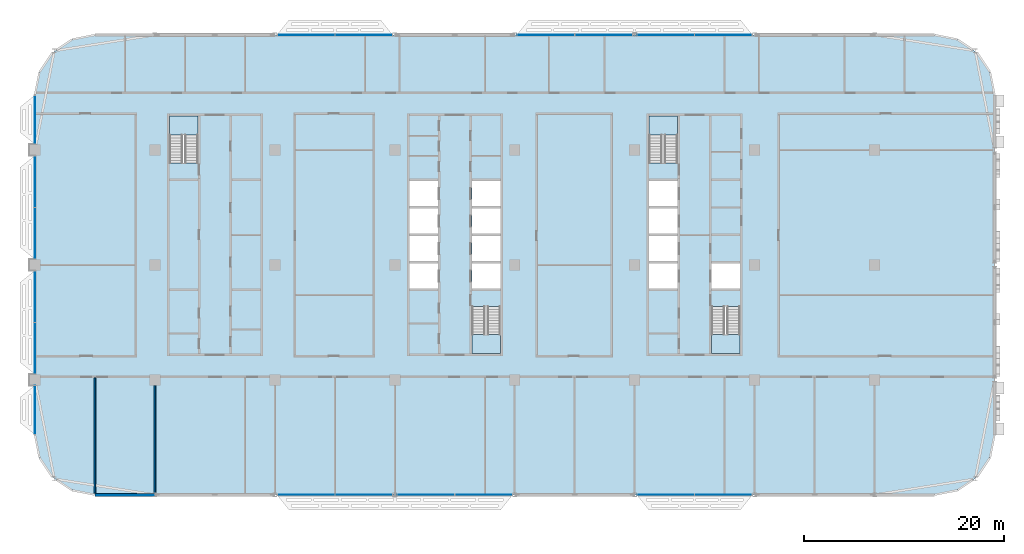
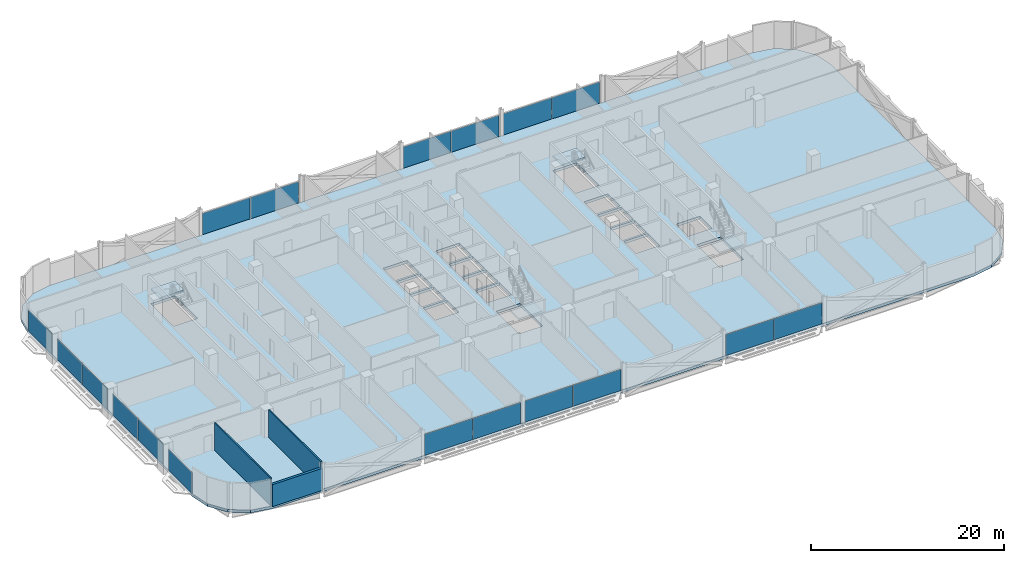
# One storey, part 12 of 30: 18 plates, 5 slabs, 3 walls, 14 elements without a shape of their own.
"""IFC4 building model written with IfcOpenShell, lengths in metres."""

from ifc_helpers import new_model, si_unit, direction, frame, frame_2d, origin, origin_2d, place, context, subcontext, project, spatial, polyline, rectangle, outline, extrude, material, layer, layer_set, type_object, element, aggregate, save


model = new_model("IFC4")

# Units and contexts
model_context = context("Model", 3, precision=1e-05, world=origin(), true_north=direction((0.0, 1.0)))
body_context = subcontext(model_context, "Body", "Model", "MODEL_VIEW")
ifc_project = project(units=[si_unit("LENGTHUNIT", "METRE"), si_unit("AREAUNIT", "SQUARE_METRE"), si_unit("VOLUMEUNIT", "CUBIC_METRE"), si_unit("PLANEANGLEUNIT", "RADIAN"), si_unit("MASSUNIT", "GRAM", prefix="KILO")], contexts=[model_context])

# Site, building, storey
site_placement = place(None, origin())
site = spatial("IfcSite", under=ifc_project, at=site_placement, CompositionType="ELEMENT")
building_placement = place(site_placement, origin())
building = spatial("IfcBuilding", under=site, at=building_placement, Name="Mahtab Terrace Research Tower", CompositionType="ELEMENT")
storey_placement = place(building_placement, frame((0.0, 0.0, 205.300048828125)))
storey = spatial("IfcBuildingStorey", under=building, at=storey_placement, Name="L49", CompositionType="ELEMENT", Elevation=205.300048828125)

# Stair, slab
ifc_material_1 = material(Name="Exit stair half-turn")
stair_type = type_object("IfcStairType", Name="Exit stair half-turn", PredefinedType="HALF_TURN_STAIR", material=ifc_material_1)
stair_1_placement = place(storey_placement, origin())
stair_1 = element("IfcStair", 1, at=stair_1_placement, inside=storey, type_object=stair_type, Name="L49 Protected exit stair ST1", PredefinedType="HALF_TURN_STAIR")
ifc_material_2 = material(Name="Concrete C40/50", Category="concrete")
ifc_layer_1 = layer(ifc_material_2, 0.199951171875)
ifc_layer_set_1 = layer_set([ifc_layer_1], Name="Exit stair landing 200")
slab_type_1 = type_object("IfcSlabType", Name="Exit stair landing 200", PredefinedType="LANDING", material=ifc_layer_set_1)
slab_1_placement = place(storey_placement, frame((0.0, 0.0, 1.699951171875)))
slab_1 = element("IfcSlab", 2, at=slab_1_placement, type_object=slab_type_1, Name="ST1 landing 1", PredefinedType="LANDING", context=body_context, shape_type="SweptSolid", body=[
    extrude(outline(polyline([(-25.699951171875, 12.97509765625), (-25.699951171875, 14.875), (-28.550048828125, 14.875), (-28.550048828125, 12.97509765625), (-25.699951171875, 12.97509765625)])), origin(), (0.0, 0.0, 1.0), 0.199951171875),
])
aggregate(stair_1, [slab_1])

stair_2_placement = place(storey_placement, origin())
stair_2 = element("IfcStair", 3, at=stair_2_placement, inside=storey, type_object=stair_type, Name="L49 Protected exit stair ST2", PredefinedType="HALF_TURN_STAIR")
slab_2_placement = place(storey_placement, frame((0.0, 0.0, 1.699951171875)))
slab_2 = element("IfcSlab", 4, at=slab_2_placement, type_object=slab_type_1, Name="ST2 landing 1", PredefinedType="LANDING", context=body_context, shape_type="SweptSolid", body=[
    extrude(outline(polyline([(1.699951171875, -6.97509765625), (1.699951171875, -8.875), (4.550048828125, -8.875), (4.550048828125, -6.97509765625), (1.699951171875, -6.97509765625)])), origin(), (0.0, 0.0, 1.0), 0.199951171875),
])
aggregate(stair_2, [slab_2])

stair_3_placement = place(storey_placement, origin())
stair_3 = element("IfcStair", 5, at=stair_3_placement, inside=storey, type_object=stair_type, Name="L49 Protected exit stair ST3", PredefinedType="HALF_TURN_STAIR")
slab_3_placement = place(storey_placement, frame((0.0, 0.0, 1.699951171875)))
slab_3 = element("IfcSlab", 6, at=slab_3_placement, type_object=slab_type_1, Name="ST3 landing 1", PredefinedType="LANDING", context=body_context, shape_type="SweptSolid", body=[
    extrude(outline(polyline([(22.300048828125, 12.97509765625), (22.300048828125, 14.875), (19.449951171875, 14.875), (19.449951171875, 12.97509765625), (22.300048828125, 12.97509765625)])), origin(), (0.0, 0.0, 1.0), 0.199951171875),
])
aggregate(stair_3, [slab_3])

stair_4_placement = place(storey_placement, origin())
stair_4 = element("IfcStair", 7, at=stair_4_placement, inside=storey, type_object=stair_type, Name="L49 Protected exit stair ST4", PredefinedType="HALF_TURN_STAIR")
slab_4_placement = place(storey_placement, frame((0.0, 0.0, 1.699951171875)))
slab_4 = element("IfcSlab", 8, at=slab_4_placement, type_object=slab_type_1, Name="ST4 landing 1", PredefinedType="LANDING", context=body_context, shape_type="SweptSolid", body=[
    extrude(outline(polyline([(25.699951171875, -6.97509765625), (25.699951171875, -8.875), (28.550048828125, -8.875), (28.550048828125, -6.97509765625), (25.699951171875, -6.97509765625)])), origin(), (0.0, 0.0, 1.0), 0.199951171875),
])
aggregate(stair_4, [slab_4])

# Curtain wall, plates
ifc_material_3 = material(Name="Laboratory ribbon curtain wall")
curtain_wall_type = type_object("IfcCurtainWallType", Name="Laboratory ribbon curtain wall", PredefinedType="NOTDEFINED", material=ifc_material_3)
curtain_wall_1_placement = place(storey_placement, origin())
curtain_wall_1 = element("IfcCurtainWall", 9, at=curtain_wall_1_placement, inside=storey, type_object=curtain_wall_type, Name="EN.L49.3.5", PredefinedType="NOTDEFINED")
ifc_material_4 = material(Name="Dark glazing", Category="glass")
ifc_layer_2 = layer(ifc_material_4, 0.031982421875)
ifc_layer_set_2 = layer_set([ifc_layer_2], Name="Laboratory ribbon curtain wall glazing panel")
plate_type = type_object("IfcPlateType", Name="Laboratory ribbon curtain wall glazing panel", PredefinedType="CURTAIN_PANEL", material=ifc_layer_set_2)
plate_1_placement = place(storey_placement, frame((26.8837890625, 23.0, 0.0), z_axis=(0.0, 0.0, 1.0), x_axis=(-1.0, 0.0, 0.0)))
plate_1 = element("IfcPlate", 10, at=plate_1_placement, type_object=plate_type, Name="CWL-6 panel 1", PredefinedType="CURTAIN_PANEL", context=body_context, shape_type="SweptSolid", body=[
    extrude(rectangle(XDim=5.702392578125, YDim=0.031982421875, at=origin_2d()), origin(), (0.0, 0.0, 1.0), 2.681884765625),
])
plate_2_placement = place(storey_placement, frame((21.1162109375, 23.0, 0.0), z_axis=(0.0, 0.0, 1.0), x_axis=(-1.0, 0.0, 0.0)))
plate_2 = element("IfcPlate", 11, at=plate_2_placement, type_object=plate_type, Name="CWL-6 panel 2", PredefinedType="CURTAIN_PANEL", context=body_context, shape_type="SweptSolid", body=[
    extrude(rectangle(XDim=5.702392578125, YDim=0.031982421875, at=origin_2d()), origin(), (0.0, 0.0, 1.0), 2.681884765625),
])
aggregate(curtain_wall_1, [plate_1, plate_2])

curtain_wall_2_placement = place(storey_placement, origin())
curtain_wall_2 = element("IfcCurtainWall", 12, at=curtain_wall_2_placement, inside=storey, type_object=curtain_wall_type, Name="EN.L49.3.6", PredefinedType="NOTDEFINED")
plate_3_placement = place(storey_placement, frame((14.8837890625, 23.0, 0.0), z_axis=(0.0, 0.0, 1.0), x_axis=(-1.0, 0.0, 0.0)))
plate_3 = element("IfcPlate", 13, at=plate_3_placement, type_object=plate_type, Name="CWL-6 panel 1", PredefinedType="CURTAIN_PANEL", context=body_context, shape_type="SweptSolid", body=[
    extrude(rectangle(XDim=5.702392578125, YDim=0.031982421875, at=origin_2d()), origin(), (0.0, 0.0, 1.0), 2.681884765625),
])
plate_4_placement = place(storey_placement, frame((9.1162109375, 23.0, 0.0), z_axis=(0.0, 0.0, 1.0), x_axis=(-1.0, 0.0, 0.0)))
plate_4 = element("IfcPlate", 14, at=plate_4_placement, type_object=plate_type, Name="CWL-6 panel 2", PredefinedType="CURTAIN_PANEL", context=body_context, shape_type="SweptSolid", body=[
    extrude(rectangle(XDim=5.702392578125, YDim=0.031982421875, at=origin_2d()), origin(), (0.0, 0.0, 1.0), 2.681884765625),
])
aggregate(curtain_wall_2, [plate_3, plate_4])

curtain_wall_3_placement = place(storey_placement, origin())
curtain_wall_3 = element("IfcCurtainWall", 15, at=curtain_wall_3_placement, inside=storey, type_object=curtain_wall_type, Name="EN.L49.3.8", PredefinedType="NOTDEFINED")
plate_5_placement = place(storey_placement, frame((-9.1162109375, 23.0, 0.0), z_axis=(0.0, 0.0, 1.0), x_axis=(-1.0, 0.0, 0.0)))
plate_5 = element("IfcPlate", 16, at=plate_5_placement, type_object=plate_type, Name="CWL-6 panel 1", PredefinedType="CURTAIN_PANEL", context=body_context, shape_type="SweptSolid", body=[
    extrude(rectangle(XDim=5.702392578125, YDim=0.031982421875, at=origin_2d()), origin(), (0.0, 0.0, 1.0), 2.681884765625),
])
plate_6_placement = place(storey_placement, frame((-14.8837890625, 23.0, 0.0), z_axis=(0.0, 0.0, 1.0), x_axis=(-1.0, 0.0, 0.0)))
plate_6 = element("IfcPlate", 17, at=plate_6_placement, type_object=plate_type, Name="CWL-6 panel 2", PredefinedType="CURTAIN_PANEL", context=body_context, shape_type="SweptSolid", body=[
    extrude(rectangle(XDim=5.702392578125, YDim=0.031982421875, at=origin_2d()), origin(), (0.0, 0.0, 1.0), 2.681884765625),
])
aggregate(curtain_wall_3, [plate_5, plate_6])

# Curtain wall, plate
curtain_wall_4_placement = place(storey_placement, origin())
curtain_wall_4 = element("IfcCurtainWall", 18, at=curtain_wall_4_placement, inside=storey, type_object=curtain_wall_type, Name="EN.L49.8.15", PredefinedType="NOTDEFINED")
plate_7_placement = place(storey_placement, frame((-42.0, 14.52490234375, 0.0), z_axis=(0.0, 0.0, 1.0), x_axis=(0.0, -1.0, 0.0)))
plate_7 = element("IfcPlate", 19, at=plate_7_placement, type_object=plate_type, Name="CWL-6 panel 1", PredefinedType="CURTAIN_PANEL", context=body_context, shape_type="SweptSolid", body=[
    extrude(rectangle(XDim=4.820068359375, YDim=0.031982421875, at=origin_2d()), origin(), (0.0, 0.0, 1.0), 2.681884765625),
])
aggregate(curtain_wall_4, [plate_7])

# Curtain wall, plates
curtain_wall_5_placement = place(storey_placement, origin())
curtain_wall_5 = element("IfcCurtainWall", 20, at=curtain_wall_5_placement, inside=storey, type_object=curtain_wall_type, Name="EN.L49.8.16", PredefinedType="NOTDEFINED")
plate_8_placement = place(storey_placement, frame((-42.0, 8.333740234375, 0.0), z_axis=(0.0, 0.0, 1.0), x_axis=(0.0, -1.0, 0.0)))
plate_8 = element("IfcPlate", 21, at=plate_8_placement, type_object=plate_type, Name="CWL-6 panel 1", PredefinedType="CURTAIN_PANEL", context=body_context, shape_type="SweptSolid", body=[
    extrude(rectangle(XDim=5.1025390625, YDim=0.031982421875, at=origin_2d()), origin(), (0.0, 0.0, 1.0), 2.681884765625),
])
plate_9_placement = place(storey_placement, frame((-42.0, 3.166259765625, 0.0), z_axis=(0.0, 0.0, 1.0), x_axis=(0.0, -1.0, 0.0)))
plate_9 = element("IfcPlate", 22, at=plate_9_placement, type_object=plate_type, Name="CWL-6 panel 2", PredefinedType="CURTAIN_PANEL", context=body_context, shape_type="SweptSolid", body=[
    extrude(rectangle(XDim=5.1025390625, YDim=0.031982421875, at=origin_2d()), origin(), (0.0, 0.0, 1.0), 2.681884765625),
])
aggregate(curtain_wall_5, [plate_8, plate_9])

curtain_wall_6_placement = place(storey_placement, origin())
curtain_wall_6 = element("IfcCurtainWall", 23, at=curtain_wall_6_placement, inside=storey, type_object=curtain_wall_type, Name="EN.L49.8.17", PredefinedType="NOTDEFINED")
plate_10_placement = place(storey_placement, frame((-42.0, -3.166259765625, 0.0), z_axis=(0.0, 0.0, 1.0), x_axis=(0.0, -1.0, 0.0)))
plate_10 = element("IfcPlate", 24, at=plate_10_placement, type_object=plate_type, Name="CWL-6 panel 1", PredefinedType="CURTAIN_PANEL", context=body_context, shape_type="SweptSolid", body=[
    extrude(rectangle(XDim=5.1025390625, YDim=0.031982421875, at=origin_2d()), origin(), (0.0, 0.0, 1.0), 2.681884765625),
])
plate_11_placement = place(storey_placement, frame((-42.0, -8.333740234375, 0.0), z_axis=(0.0, 0.0, 1.0), x_axis=(0.0, -1.0, 0.0)))
plate_11 = element("IfcPlate", 25, at=plate_11_placement, type_object=plate_type, Name="CWL-6 panel 2", PredefinedType="CURTAIN_PANEL", context=body_context, shape_type="SweptSolid", body=[
    extrude(rectangle(XDim=5.1025390625, YDim=0.031982421875, at=origin_2d()), origin(), (0.0, 0.0, 1.0), 2.681884765625),
])
aggregate(curtain_wall_6, [plate_10, plate_11])

# Curtain wall, plate
curtain_wall_7_placement = place(storey_placement, origin())
curtain_wall_7 = element("IfcCurtainWall", 26, at=curtain_wall_7_placement, inside=storey, type_object=curtain_wall_type, Name="EN.L49.8.18", PredefinedType="NOTDEFINED")
plate_12_placement = place(storey_placement, frame((-42.0, -14.52490234375, 0.0), z_axis=(0.0, 0.0, 1.0), x_axis=(0.0, -1.0, 0.0)))
plate_12 = element("IfcPlate", 27, at=plate_12_placement, type_object=plate_type, Name="CWL-6 panel 1", PredefinedType="CURTAIN_PANEL", context=body_context, shape_type="SweptSolid", body=[
    extrude(rectangle(XDim=4.820068359375, YDim=0.031982421875, at=origin_2d()), origin(), (0.0, 0.0, 1.0), 2.681884765625),
])
aggregate(curtain_wall_7, [plate_12])

# Curtain wall, plates
curtain_wall_8_placement = place(storey_placement, origin())
curtain_wall_8 = element("IfcCurtainWall", 28, at=curtain_wall_8_placement, inside=storey, type_object=curtain_wall_type, Name="EN.L49.13.25", PredefinedType="NOTDEFINED")
plate_13_placement = place(storey_placement, frame((-14.8837890625, -23.0, 0.0), z_axis=(0.0, 0.0, 1.0), x_axis=(1.0, 0.0, 0.0)))
plate_13 = element("IfcPlate", 29, at=plate_13_placement, type_object=plate_type, Name="CWL-6 panel 1", PredefinedType="CURTAIN_PANEL", context=body_context, shape_type="SweptSolid", body=[
    extrude(rectangle(XDim=5.702392578125, YDim=0.031982421875, at=origin_2d()), origin(), (0.0, 0.0, 1.0), 2.681884765625),
])
plate_14_placement = place(storey_placement, frame((-9.1162109375, -23.0, 0.0), z_axis=(0.0, 0.0, 1.0), x_axis=(1.0, 0.0, 0.0)))
plate_14 = element("IfcPlate", 30, at=plate_14_placement, type_object=plate_type, Name="CWL-6 panel 2", PredefinedType="CURTAIN_PANEL", context=body_context, shape_type="SweptSolid", body=[
    extrude(rectangle(XDim=5.702392578125, YDim=0.031982421875, at=origin_2d()), origin(), (0.0, 0.0, 1.0), 2.681884765625),
])
aggregate(curtain_wall_8, [plate_13, plate_14])

curtain_wall_9_placement = place(storey_placement, origin())
curtain_wall_9 = element("IfcCurtainWall", 31, at=curtain_wall_9_placement, inside=storey, type_object=curtain_wall_type, Name="EN.L49.13.26", PredefinedType="NOTDEFINED")
plate_15_placement = place(storey_placement, frame((-2.8837890625, -23.0, 0.0), z_axis=(0.0, 0.0, 1.0), x_axis=(1.0, 0.0, 0.0)))
plate_15 = element("IfcPlate", 32, at=plate_15_placement, type_object=plate_type, Name="CWL-6 panel 1", PredefinedType="CURTAIN_PANEL", context=body_context, shape_type="SweptSolid", body=[
    extrude(rectangle(XDim=5.702392578125, YDim=0.031982421875, at=origin_2d()), origin(), (0.0, 0.0, 1.0), 2.681884765625),
])
plate_16_placement = place(storey_placement, frame((2.8837890625, -23.0, 0.0), z_axis=(0.0, 0.0, 1.0), x_axis=(1.0, 0.0, 0.0)))
plate_16 = element("IfcPlate", 33, at=plate_16_placement, type_object=plate_type, Name="CWL-6 panel 2", PredefinedType="CURTAIN_PANEL", context=body_context, shape_type="SweptSolid", body=[
    extrude(rectangle(XDim=5.702392578125, YDim=0.031982421875, at=origin_2d()), origin(), (0.0, 0.0, 1.0), 2.681884765625),
])
aggregate(curtain_wall_9, [plate_15, plate_16])

curtain_wall_10_placement = place(storey_placement, origin())
curtain_wall_10 = element("IfcCurtainWall", 34, at=curtain_wall_10_placement, inside=storey, type_object=curtain_wall_type, Name="EN.L49.13.28", PredefinedType="NOTDEFINED")
plate_17_placement = place(storey_placement, frame((21.1162109375, -23.0, 0.0), z_axis=(0.0, 0.0, 1.0), x_axis=(1.0, 0.0, 0.0)))
plate_17 = element("IfcPlate", 35, at=plate_17_placement, type_object=plate_type, Name="CWL-6 panel 1", PredefinedType="CURTAIN_PANEL", context=body_context, shape_type="SweptSolid", body=[
    extrude(rectangle(XDim=5.702392578125, YDim=0.031982421875, at=origin_2d()), origin(), (0.0, 0.0, 1.0), 2.681884765625),
])
plate_18_placement = place(storey_placement, frame((26.8837890625, -23.0, 0.0), z_axis=(0.0, 0.0, 1.0), x_axis=(1.0, 0.0, 0.0)))
plate_18 = element("IfcPlate", 36, at=plate_18_placement, type_object=plate_type, Name="CWL-6 panel 2", PredefinedType="CURTAIN_PANEL", context=body_context, shape_type="SweptSolid", body=[
    extrude(rectangle(XDim=5.702392578125, YDim=0.031982421875, at=origin_2d()), origin(), (0.0, 0.0, 1.0), 2.681884765625),
])
aggregate(curtain_wall_10, [plate_17, plate_18])

# Slab
ifc_layer_3 = layer(ifc_material_2, 0.340087890625)
ifc_layer_set_3 = layer_set([ifc_layer_3], Name="PT flat slab 340")
slab_type_2 = type_object("IfcSlabType", Name="PT flat slab 340", PredefinedType="FLOOR", material=ifc_layer_set_3)
slab_5_placement = place(storey_placement, frame((0.0, 0.0, -0.340087890625)))
element("IfcSlab", 37, at=slab_5_placement, inside=storey, type_object=slab_type_2, Name="Floor slab L49", PredefinedType="FLOOR", context=body_context, shape_type="SweptSolid", body=[
    extrude(outline(polyline([(53.54296875, 19.2958984375), (52.242919921875, 21.242919921875), (50.2958984375, 22.54296875), (48.0, 23.0), (-36.0, 23.0), (-38.2958984375, 22.54296875), (-40.242919921875, 21.242919921875), (-41.54296875, 19.2958984375), (-42.0, 17.0), (-42.0, -17.0), (-41.54296875, -19.2958984375), (-40.242919921875, -21.242919921875), (-38.2958984375, -22.54296875), (-36.0, -23.0), (48.0, -23.0), (50.2958984375, -22.54296875), (52.242919921875, -21.242919921875), (53.54296875, -19.2958984375), (54.0, -17.0), (54.0, 17.0), (53.54296875, 19.2958984375)]), holes=[polyline([(-4.550048828125, -2.375), (-4.550048828125, 0.125), (-1.699951171875, 0.125), (-1.699951171875, -2.375), (-4.550048828125, -2.375)]), polyline([(1.699951171875, -2.375), (1.699951171875, 0.125), (4.550048828125, 0.125), (4.550048828125, -2.375), (1.699951171875, -2.375)]), polyline([(-4.550048828125, 0.375), (-4.550048828125, 2.875), (-1.699951171875, 2.875), (-1.699951171875, 0.375), (-4.550048828125, 0.375)]), polyline([(1.699951171875, 0.375), (1.699951171875, 2.875), (4.550048828125, 2.875), (4.550048828125, 0.375), (1.699951171875, 0.375)]), polyline([(-4.550048828125, 3.125), (-4.550048828125, 5.625), (-1.699951171875, 5.625), (-1.699951171875, 3.125), (-4.550048828125, 3.125)]), polyline([(1.699951171875, 3.125), (1.699951171875, 5.625), (4.550048828125, 5.625), (4.550048828125, 3.125), (1.699951171875, 3.125)]), polyline([(-4.550048828125, 5.875), (-4.550048828125, 8.375), (-1.699951171875, 8.375), (-1.699951171875, 5.875), (-4.550048828125, 5.875)]), polyline([(1.699951171875, 5.875), (1.699951171875, 8.375), (4.550048828125, 8.375), (4.550048828125, 5.875), (1.699951171875, 5.875)]), polyline([(-28.550048828125, 10.177001953125), (-28.550048828125, 14.875), (-25.699951171875, 14.875), (-25.699951171875, 10.177001953125), (-28.550048828125, 10.177001953125)]), polyline([(1.699951171875, -8.875), (1.699951171875, -4.177001953125), (4.550048828125, -4.177001953125), (4.550048828125, -8.875), (1.699951171875, -8.875)]), polyline([(25.699951171875, -8.875), (25.699951171875, -4.177001953125), (28.550048828125, -4.177001953125), (28.550048828125, -8.875), (25.699951171875, -8.875)]), polyline([(19.449951171875, -2.375), (19.449951171875, 0.125), (22.300048828125, 0.125), (22.300048828125, -2.375), (19.449951171875, -2.375)]), polyline([(25.699951171875, -2.375), (25.699951171875, 0.125), (28.550048828125, 0.125), (28.550048828125, -2.375), (25.699951171875, -2.375)]), polyline([(19.449951171875, 0.375), (19.449951171875, 2.875), (22.300048828125, 2.875), (22.300048828125, 0.375), (19.449951171875, 0.375)]), polyline([(19.449951171875, 3.125), (19.449951171875, 5.625), (22.300048828125, 5.625), (22.300048828125, 3.125), (19.449951171875, 3.125)]), polyline([(19.449951171875, 8.375), (22.300048828125, 8.375), (22.300048828125, 5.875), (19.449951171875, 5.875), (19.449951171875, 8.375)]), polyline([(19.449951171875, 14.875), (22.300048828125, 14.875), (22.300048828125, 10.177001953125), (19.449951171875, 10.177001953125), (19.449951171875, 14.875)])]), origin(), (0.0, 0.0, 1.0), 0.340087890625),
])

# Walls
ifc_material_5 = material(Name="Black aluminium cladding panel", Category="aluminium")
ifc_layer_4 = layer(ifc_material_5, 0.300048828125)
ifc_layer_set_4 = layer_set([ifc_layer_4], Name="Opaque facade wall 300")
wall_type_1 = type_object("IfcWallType", Name="Opaque facade wall 300", PredefinedType="NOTDEFINED", material=ifc_layer_set_4)
wall_1_placement = place(storey_placement, frame((-36.0, -23.0, 0.0), z_axis=(0.0, 0.0, 1.0), x_axis=(1.0, 0.0, 0.0)))
element("IfcWall", 38, at=wall_1_placement, inside=storey, type_object=wall_type_1, Name="Opaque facade wall L49 S23", PredefinedType="NOTDEFINED", context=body_context, shape_type="SweptSolid", body=[
    extrude(rectangle(XDim=5.987548828125, YDim=0.300048828125, at=frame_2d((2.99365234375, 0.0))), origin(), (0.0, 0.0, 1.0), 2.78173828125),
])
ifc_material_6 = material(Name="Gypsum board partition on steel studs", Category="steel")
ifc_layer_5 = layer(ifc_material_6, 0.14990234375)
ifc_layer_set_5 = layer_set([ifc_layer_5], Name="WALL PARTITION 150")
wall_type_2 = type_object("IfcWallType", Name="WALL PARTITION 150", PredefinedType="PARTITIONING", material=ifc_layer_set_5)
wall_2_placement = place(storey_placement, frame((-36.0, -22.84716796875, 0.0), z_axis=(0.0, 0.0, 1.0), x_axis=(0.0, 1.0, 0.0)))
element("IfcWall", 39, at=wall_2_placement, inside=storey, type_object=wall_type_2, Name="L49-W025", PredefinedType="PARTITIONING", context=body_context, shape_type="SweptSolid", body=[
    extrude(rectangle(XDim=11.547119140625, YDim=0.14990234375, at=frame_2d((5.7734375, 0.0))), origin(), (0.0, 0.0, 1.0), 3.4599609375),
])
wall_3_placement = place(storey_placement, frame((-30.0, -22.85009765625, 0.0), z_axis=(0.0, 0.0, 1.0), x_axis=(0.0, 1.0, 0.0)))
element("IfcWall", 40, at=wall_3_placement, inside=storey, type_object=wall_type_2, Name="L49-W028", PredefinedType="PARTITIONING", context=body_context, shape_type="SweptSolid", body=[
    extrude(rectangle(XDim=10.800048828125, YDim=0.14990234375, at=frame_2d((5.39990234375, 0.0))), origin(), (0.0, 0.0, 1.0), 3.4599609375),
])

save(model, "model.ifc")
